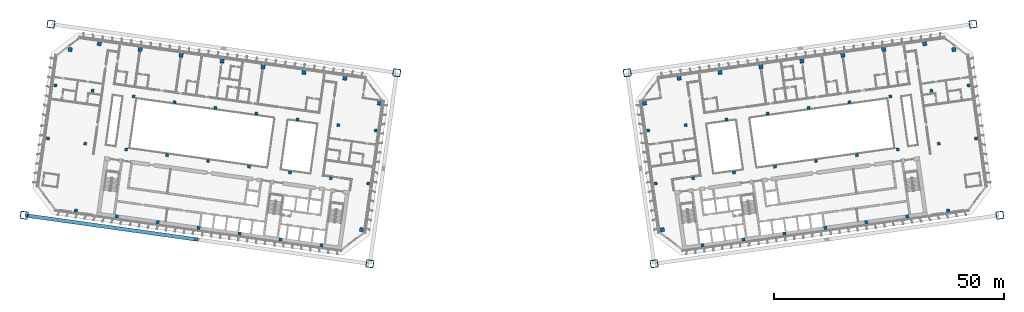
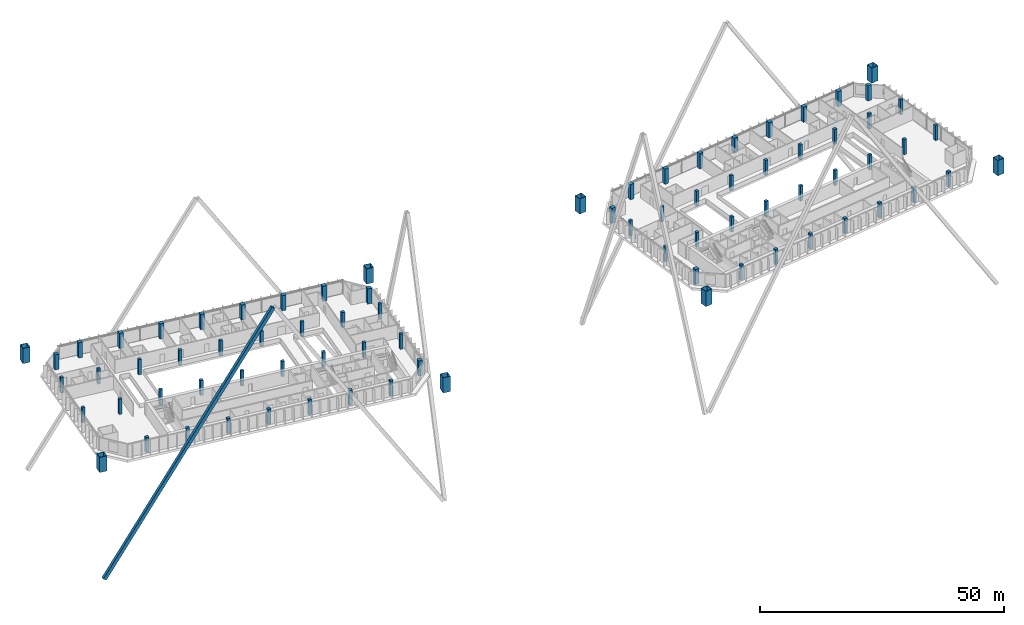
# One storey, part 1 of 41: 78 columns, 1 member.
"""IFC4 building model written with IfcOpenShell, lengths in metres."""

from ifc_helpers import new_model, si_unit, direction, frame, origin, origin_2d, place, context, subcontext, project, spatial, rectangle, hollow_rectangle, extrude, material, material_profile, profile_set, type_object, element, save


model = new_model("IFC4")

# Units and contexts
model_context = context("Model", 3, precision=1e-05, world=origin(), true_north=direction((0.0, 1.0)))
body_context = subcontext(model_context, "Body", "Model", "MODEL_VIEW")
ifc_project = project(units=[si_unit("LENGTHUNIT", "METRE"), si_unit("AREAUNIT", "SQUARE_METRE"), si_unit("VOLUMEUNIT", "CUBIC_METRE"), si_unit("PLANEANGLEUNIT", "RADIAN"), si_unit("MASSUNIT", "GRAM", prefix="KILO")], contexts=[model_context])

# Site, building, storey
site_placement = place(None, origin())
site = spatial("IfcSite", under=ifc_project, at=site_placement, CompositionType="ELEMENT")
building_placement = place(site_placement, origin())
building = spatial("IfcBuilding", under=site, at=building_placement, Name="Mirante Cascada Hotel Towers", CompositionType="ELEMENT")
storey_placement = place(building_placement, frame((0.0, 0.0, 125.3)))
storey = spatial("IfcBuildingStorey", under=building, at=storey_placement, Name="L28", CompositionType="ELEMENT", Elevation=125.3)

# Columns
ifc_material_1 = material(Name="Steel ASTM A572 Gr 50", Category="steel")
ifc_material_profile_1 = material_profile(ifc_material_1, hollow_rectangle(XDim=1.6, YDim=1.6, WallThickness=0.07, at=origin_2d()), Name="Box column 1600x1600x70 ASTM A572 Gr 50")
ifc_profile_set_1 = profile_set([ifc_material_profile_1], Name="Steel ASTM A572 Gr 50")
column_type_1 = type_object("IfcColumnType", Name="Box column 1600x1600x70 ASTM A572 Gr 50", PredefinedType="COLUMN", material=ifc_profile_set_1)
for number, where, z_axis, x_axis, name in (
    (1, (-25.0968, 18.5173, 0.0), (0.0, 0.0, 1.0), (-0.9902681, 0.1391731, 0.0), "Mega column MC1 T1 L28"),
    (2, (-30.9421, -23.074, 0.0), (0.0, 0.0, 1.0), (-0.9902681, 0.1391731, 0.0), "Mega column MC2 T1 L28"),
    (3, (-100.3572, 29.0944, 0.0), (0.0, 0.0, 1.0), (-0.9902681, 0.1391731, 0.0), "Mega column MC3 T1 L28"),
    (4, (-106.2025, -12.4968, 0.0), (0.0, 0.0, 1.0), (-0.9902681, 0.1391731, 0.0), "Mega column MC4 T1 L28"),
    (5, (25.0968, 18.5173, 0.0), (0.0, 0.0, 1.0), (0.9902681, 0.1391731, 0.0), "Mega column MC1 T2 L28"),
    (6, (30.9421, -23.074, 0.0), (0.0, 0.0, 1.0), (0.9902681, 0.1391731, 0.0), "Mega column MC2 T2 L28"),
    (7, (100.3572, 29.0944, 0.0), (0.0, 0.0, 1.0), (0.9902681, 0.1391731, 0.0), "Mega column MC3 T2 L28"),
    (8, (106.2025, -12.4968, 0.0), (0.0, 0.0, 1.0), (0.9902681, 0.1391731, 0.0), "Mega column MC4 T2 L28"),
):
    element("IfcColumn", number, at=place(storey_placement, frame(where, z_axis=z_axis, x_axis=x_axis)), inside=storey, type_object=column_type_1, Name=name, PredefinedType="COLUMN", context=body_context, shape_type="SweptSolid", body=[
        extrude(hollow_rectangle(XDim=1.6, YDim=1.6, WallThickness=0.07, at=origin_2d()), origin(), (0.0, 0.0, 1.0), 3.8),
    ])
ifc_material_2 = material(Name="Concrete C60/75", Category="concrete")
ifc_material_profile_2 = material_profile(ifc_material_2, rectangle(XDim=0.65, YDim=0.65, at=origin_2d()), Name="RC column 650x650 C60/75")
ifc_profile_set_2 = profile_set([ifc_material_profile_2], Name="Concrete C60/75")
column_type_2 = type_object("IfcColumnType", Name="RC column 650x650 C60/75", PredefinedType="COLUMN", material=ifc_profile_set_2)
for number, where, z_axis, x_axis, name in (
    (9, (-29.6893, 5.9592, 0.0), (0.0, 0.0, 1.0), (-0.9902681, 0.1391731, 0.0), "Column T1 L28 2"),
    (10, (-31.3106, -5.5774, 0.0), (0.0, 0.0, 1.0), (-0.9902681, 0.1391731, 0.0), "Column T1 L28 3"),
    (11, (-37.8095, 7.1004, 0.0), (0.0, 0.0, 1.0), (-0.9902681, 0.1391731, 0.0), "Column T1 L28 6"),
    (12, (-39.4308, -4.4362, 0.0), (0.0, 0.0, 1.0), (-0.9902681, 0.1391731, 0.0), "Column T1 L28 7"),
    (13, (-46.7219, 8.353, 0.0), (0.0, 0.0, 1.0), (-0.9902681, 0.1391731, 0.0), "Column T1 L28 10"),
    (14, (-48.3432, -3.1836, 0.0), (0.0, 0.0, 1.0), (-0.9902681, 0.1391731, 0.0), "Column T1 L28 11"),
    (15, (-55.6343, 9.6055, 0.0), (0.0, 0.0, 1.0), (-0.9902681, 0.1391731, 0.0), "Column T1 L28 14"),
    (16, (-57.2557, -1.9311, 0.0), (0.0, 0.0, 1.0), (-0.9902681, 0.1391731, 0.0), "Column T1 L28 15"),
    (17, (-64.5467, 10.8581, 0.0), (0.0, 0.0, 1.0), (-0.9902681, 0.1391731, 0.0), "Column T1 L28 18"),
    (18, (-66.1681, -0.6785, 0.0), (0.0, 0.0, 1.0), (-0.9902681, 0.1391731, 0.0), "Column T1 L28 19"),
    (19, (-73.4591, 12.1107, 0.0), (0.0, 0.0, 1.0), (-0.9902681, 0.1391731, 0.0), "Column T1 L28 22"),
    (20, (-75.0805, 0.574, 0.0), (0.0, 0.0, 1.0), (-0.9902681, 0.1391731, 0.0), "Column T1 L28 23"),
    (21, (-82.3715, 13.3632, 0.0), (0.0, 0.0, 1.0), (-0.9902681, 0.1391731, 0.0), "Column T1 L28 26"),
    (22, (-83.9929, 1.8266, 0.0), (0.0, 0.0, 1.0), (-0.9902681, 0.1391731, 0.0), "Column T1 L28 27"),
    (23, (-91.2839, 14.6158, 0.0), (0.0, 0.0, 1.0), (-0.9902681, 0.1391731, 0.0), "Column T1 L28 30"),
    (24, (-92.9053, 3.0792, 0.0), (0.0, 0.0, 1.0), (-0.9902681, 0.1391731, 0.0), "Column T1 L28 31"),
    (25, (-99.4041, 15.757, 0.0), (0.0, 0.0, 1.0), (-0.9902681, 0.1391731, 0.0), "Column T1 L28 34"),
    (26, (-101.0255, 4.2204, 0.0), (0.0, 0.0, 1.0), (-0.9902681, 0.1391731, 0.0), "Column T1 L28 35"),
    (27, (29.6893, 5.9592, 0.0), (0.0, 0.0, 1.0), (0.9902681, 0.1391731, 0.0), "Column T2 L28 2"),
    (28, (31.3106, -5.5774, 0.0), (0.0, 0.0, 1.0), (0.9902681, 0.1391731, 0.0), "Column T2 L28 3"),
    (29, (37.8095, 7.1004, 0.0), (0.0, 0.0, 1.0), (0.9902681, 0.1391731, 0.0), "Column T2 L28 6"),
    (30, (39.4308, -4.4362, 0.0), (0.0, 0.0, 1.0), (0.9902681, 0.1391731, 0.0), "Column T2 L28 7"),
    (31, (46.7219, 8.353, 0.0), (0.0, 0.0, 1.0), (0.9902681, 0.1391731, 0.0), "Column T2 L28 10"),
    (32, (48.3432, -3.1836, 0.0), (0.0, 0.0, 1.0), (0.9902681, 0.1391731, 0.0), "Column T2 L28 11"),
    (33, (55.6343, 9.6055, 0.0), (0.0, 0.0, 1.0), (0.9902681, 0.1391731, 0.0), "Column T2 L28 14"),
    (34, (57.2557, -1.9311, 0.0), (0.0, 0.0, 1.0), (0.9902681, 0.1391731, 0.0), "Column T2 L28 15"),
    (35, (64.5467, 10.8581, 0.0), (0.0, 0.0, 1.0), (0.9902681, 0.1391731, 0.0), "Column T2 L28 18"),
    (36, (66.1681, -0.6785, 0.0), (0.0, 0.0, 1.0), (0.9902681, 0.1391731, 0.0), "Column T2 L28 19"),
    (37, (73.4591, 12.1107, 0.0), (0.0, 0.0, 1.0), (0.9902681, 0.1391731, 0.0), "Column T2 L28 22"),
    (38, (75.0805, 0.574, 0.0), (0.0, 0.0, 1.0), (0.9902681, 0.1391731, 0.0), "Column T2 L28 23"),
    (39, (82.3715, 13.3632, 0.0), (0.0, 0.0, 1.0), (0.9902681, 0.1391731, 0.0), "Column T2 L28 26"),
    (40, (83.9929, 1.8266, 0.0), (0.0, 0.0, 1.0), (0.9902681, 0.1391731, 0.0), "Column T2 L28 27"),
    (41, (91.2839, 14.6158, 0.0), (0.0, 0.0, 1.0), (0.9902681, 0.1391731, 0.0), "Column T2 L28 30"),
    (42, (92.9053, 3.0792, 0.0), (0.0, 0.0, 1.0), (0.9902681, 0.1391731, 0.0), "Column T2 L28 31"),
    (43, (99.4041, 15.757, 0.0), (0.0, 0.0, 1.0), (0.9902681, 0.1391731, 0.0), "Column T2 L28 34"),
    (44, (101.0255, 4.2204, 0.0), (0.0, 0.0, 1.0), (0.9902681, 0.1391731, 0.0), "Column T2 L28 35"),
):
    element("IfcColumn", number, at=place(storey_placement, frame(where, z_axis=z_axis, x_axis=x_axis)), inside=storey, type_object=column_type_2, Name=name, PredefinedType="COLUMN", context=body_context, shape_type="SweptSolid", body=[
        extrude(rectangle(XDim=0.65, YDim=0.65, at=origin_2d()), origin(), (0.0, 0.0, 1.0), 3.8),
    ])
ifc_material_3 = material(Name="Concrete C60/75", Category="concrete")
ifc_material_profile_3 = material_profile(ifc_material_3, rectangle(XDim=0.7, YDim=0.7, at=origin_2d()), Name="RC column 700x700 C60/75")
ifc_profile_set_3 = profile_set([ifc_material_profile_3], Name="Concrete C60/75")
column_type_3 = type_object("IfcColumnType", Name="RC column 700x700 C60/75", PredefinedType="COLUMN", material=ifc_profile_set_3)
for number, where, z_axis, x_axis, name in (
    (45, (-41.4802, -19.0179, 0.0), (0.0, 0.0, 1.0), (-0.9902681, 0.1391731, 0.0), "Column T1 L28 8"),
    (46, (-50.3926, -17.7653, 0.0), (0.0, 0.0, 1.0), (-0.9902681, 0.1391731, 0.0), "Column T1 L28 12"),
    (47, (-59.305, -16.5128, 0.0), (0.0, 0.0, 1.0), (-0.9902681, 0.1391731, 0.0), "Column T1 L28 16"),
    (48, (-68.2174, -15.2602, 0.0), (0.0, 0.0, 1.0), (-0.9902681, 0.1391731, 0.0), "Column T1 L28 20"),
    (49, (-77.1298, -14.0077, 0.0), (0.0, 0.0, 1.0), (-0.9902681, 0.1391731, 0.0), "Column T1 L28 24"),
    (50, (-86.0422, -12.7551, 0.0), (0.0, 0.0, 1.0), (-0.9902681, 0.1391731, 0.0), "Column T1 L28 28"),
    (51, (-94.9546, -11.5025, 0.0), (0.0, 0.0, 1.0), (-0.9902681, 0.1391731, 0.0), "Column T1 L28 32"),
    (52, (41.4802, -19.0179, 0.0), (0.0, 0.0, 1.0), (0.9902681, 0.1391731, 0.0), "Column T2 L28 8"),
    (53, (50.3926, -17.7653, 0.0), (0.0, 0.0, 1.0), (0.9902681, 0.1391731, 0.0), "Column T2 L28 12"),
    (54, (59.305, -16.5128, 0.0), (0.0, 0.0, 1.0), (0.9902681, 0.1391731, 0.0), "Column T2 L28 16"),
    (55, (68.2174, -15.2602, 0.0), (0.0, 0.0, 1.0), (0.9902681, 0.1391731, 0.0), "Column T2 L28 20"),
    (56, (77.1298, -14.0077, 0.0), (0.0, 0.0, 1.0), (0.9902681, 0.1391731, 0.0), "Column T2 L28 24"),
    (57, (86.0422, -12.7551, 0.0), (0.0, 0.0, 1.0), (0.9902681, 0.1391731, 0.0), "Column T2 L28 28"),
    (58, (94.9546, -11.5025, 0.0), (0.0, 0.0, 1.0), (0.9902681, 0.1391731, 0.0), "Column T2 L28 32"),
):
    element("IfcColumn", number, at=place(storey_placement, frame(where, z_axis=z_axis, x_axis=x_axis)), inside=storey, type_object=column_type_3, Name=name, PredefinedType="COLUMN", context=body_context, shape_type="SweptSolid", body=[
        extrude(rectangle(XDim=0.7, YDim=0.7, at=origin_2d()), origin(), (0.0, 0.0, 1.0), 3.8),
    ])
ifc_material_4 = material(Name="Concrete C60/75", Category="concrete")
ifc_material_profile_4 = material_profile(ifc_material_4, rectangle(XDim=0.9, YDim=0.9, at=origin_2d()), Name="RC column 900x900 C60/75")
ifc_profile_set_4 = profile_set([ifc_material_profile_4], Name="Concrete C60/75")
column_type_4 = type_object("IfcColumnType", Name="RC column 900x900 C60/75", PredefinedType="COLUMN", material=ifc_profile_set_4)
for number, where, z_axis, x_axis, name in (
    (59, (-28.8577, 11.8761, 0.0), (0.0, 0.0, 1.0), (-0.9902681, 0.1391731, 0.0), "Column T1 L28 1"),
    (60, (-32.7267, -15.6534, 0.0), (0.0, 0.0, 1.0), (-0.9902681, 0.1391731, 0.0), "Column T1 L28 4"),
    (61, (-36.3725, 17.325, 0.0), (0.0, 0.0, 1.0), (-0.9902681, 0.1391731, 0.0), "Column T1 L28 5"),
    (62, (-45.2849, 18.5775, 0.0), (0.0, 0.0, 1.0), (-0.9902681, 0.1391731, 0.0), "Column T1 L28 9"),
    (63, (-54.1973, 19.8301, 0.0), (0.0, 0.0, 1.0), (-0.9902681, 0.1391731, 0.0), "Column T1 L28 13"),
    (64, (-63.1097, 21.0826, 0.0), (0.0, 0.0, 1.0), (-0.9902681, 0.1391731, 0.0), "Column T1 L28 17"),
    (65, (-72.0222, 22.3352, 0.0), (0.0, 0.0, 1.0), (-0.9902681, 0.1391731, 0.0), "Column T1 L28 21"),
    (66, (-80.9346, 23.5877, 0.0), (0.0, 0.0, 1.0), (-0.9902681, 0.1391731, 0.0), "Column T1 L28 25"),
    (67, (-89.847, 24.8403, 0.0), (0.0, 0.0, 1.0), (-0.9902681, 0.1391731, 0.0), "Column T1 L28 29"),
    (68, (-96.1868, 23.5602, 0.0), (0.0, 0.0, 1.0), (-0.9902681, 0.1391731, 0.0), "Column T1 L28 33"),
    (69, (28.8577, 11.8761, 0.0), (0.0, 0.0, 1.0), (0.9902681, 0.1391731, 0.0), "Column T2 L28 1"),
    (70, (32.7267, -15.6534, 0.0), (0.0, 0.0, 1.0), (0.9902681, 0.1391731, 0.0), "Column T2 L28 4"),
    (71, (36.3725, 17.325, 0.0), (0.0, 0.0, 1.0), (0.9902681, 0.1391731, 0.0), "Column T2 L28 5"),
    (72, (45.2849, 18.5775, 0.0), (0.0, 0.0, 1.0), (0.9902681, 0.1391731, 0.0), "Column T2 L28 9"),
    (73, (54.1973, 19.8301, 0.0), (0.0, 0.0, 1.0), (0.9902681, 0.1391731, 0.0), "Column T2 L28 13"),
    (74, (63.1097, 21.0826, 0.0), (0.0, 0.0, 1.0), (0.9902681, 0.1391731, 0.0), "Column T2 L28 17"),
    (75, (72.0222, 22.3352, 0.0), (0.0, 0.0, 1.0), (0.9902681, 0.1391731, 0.0), "Column T2 L28 21"),
    (76, (80.9346, 23.5877, 0.0), (0.0, 0.0, 1.0), (0.9902681, 0.1391731, 0.0), "Column T2 L28 25"),
    (77, (89.847, 24.8403, 0.0), (0.0, 0.0, 1.0), (0.9902681, 0.1391731, 0.0), "Column T2 L28 29"),
    (78, (96.1868, 23.5602, 0.0), (0.0, 0.0, 1.0), (0.9902681, 0.1391731, 0.0), "Column T2 L28 33"),
):
    element("IfcColumn", number, at=place(storey_placement, frame(where, z_axis=z_axis, x_axis=x_axis)), inside=storey, type_object=column_type_4, Name=name, PredefinedType="COLUMN", context=body_context, shape_type="SweptSolid", body=[
        extrude(rectangle(XDim=0.9, YDim=0.9, at=origin_2d()), origin(), (0.0, 0.0, 1.0), 3.8),
    ])

# Member
ifc_material_5 = material(Name="Steel ASTM A572 Gr 50", Category="steel")
ifc_material_profile_5 = material_profile(ifc_material_5, hollow_rectangle(XDim=0.8, YDim=0.8, WallThickness=0.04, at=origin_2d()), Name="Box brace 800x800x40 ASTM A572 Gr 50")
ifc_profile_set_5 = profile_set([ifc_material_profile_5], Name="Steel ASTM A572 Gr 50")
member_type = type_object("IfcMemberType", Name="Box brace 800x800x40 ASTM A572 Gr 50", PredefinedType="BRACE", material=ifc_profile_set_5)
member_placement = place(storey_placement, frame((-105.6942, -12.5683, -27.4172), z_axis=(0.5344768, -0.0751149, 0.8418386), x_axis=(0.1391714, 0.9902683, 0.0)))
element("IfcMember", 79, at=member_placement, inside=storey, type_object=member_type, Name="brace T1 L28 4", PredefinedType="BRACE", context=body_context, shape_type="SweptSolid", body=[
    extrude(hollow_rectangle(XDim=0.8, YDim=0.8, WallThickness=0.04, at=origin_2d()), origin(), (0.0, 0.0, 1.0), 69.1953),
])

save(model, "model.ifc")
